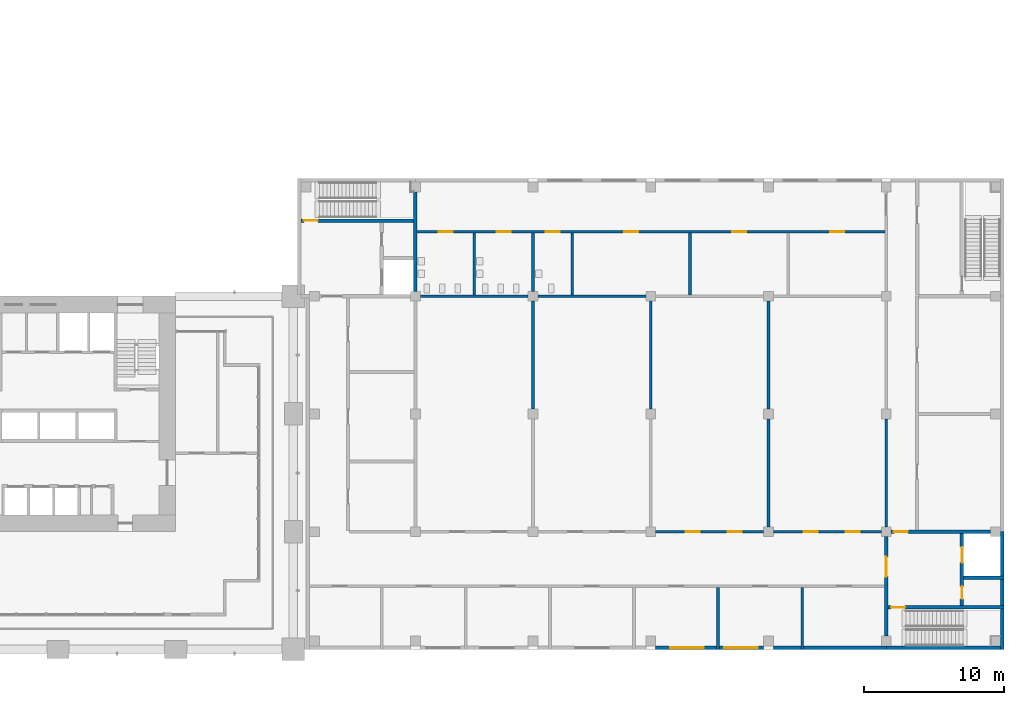
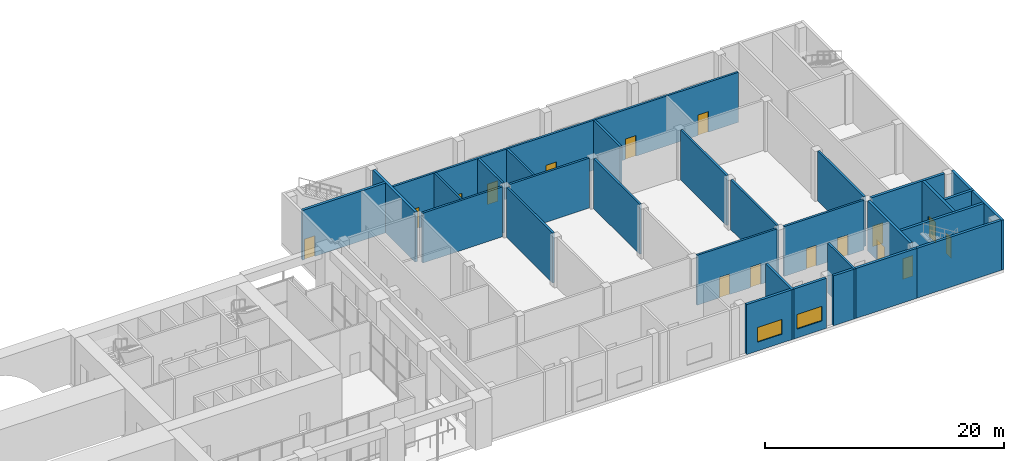
# One storey, part 15 of 26: 27 walls, 16 doors, 2 windows, 18 openings.
"""IFC4 building model written with IfcOpenShell, lengths in metres."""

from ifc_helpers import new_model, si_unit, direction, frame, frame_2d, origin, place, context, subcontext, project, spatial, rectangle, extrude, material, layer, layer_set, type_object, element, fill, save


model = new_model("IFC4")

# Units and contexts
model_context = context("Model", 3, precision=1e-05, world=origin(), true_north=direction((0.0, 1.0)))
body_context = subcontext(model_context, "Body", "Model", "MODEL_VIEW")
ifc_project = project(units=[si_unit("LENGTHUNIT", "METRE"), si_unit("AREAUNIT", "SQUARE_METRE"), si_unit("VOLUMEUNIT", "CUBIC_METRE"), si_unit("PLANEANGLEUNIT", "RADIAN"), si_unit("MASSUNIT", "GRAM", prefix="KILO")], contexts=[model_context])

# Site, building, storey
site_placement = place(None, origin())
site = spatial("IfcSite", under=ifc_project, at=site_placement, CompositionType="ELEMENT")
building_placement = place(site_placement, origin())
building = spatial("IfcBuilding", under=site, at=building_placement, Name="Vermilion Gate Residences", CompositionType="ELEMENT")
storey_placement = place(building_placement, frame((0.0, 0.0, 9.0)))
storey = spatial("IfcBuildingStorey", under=building, at=storey_placement, Name="L01", CompositionType="ELEMENT", Elevation=9.0)

# Wall, openings, windows
ifc_material_1 = material(Name="Insulated masonry", Category="masonry")
ifc_layer_1 = layer(ifc_material_1, 0.25)
ifc_layer_set_1 = layer_set([ifc_layer_1], Name="EXTERNAL WALL 250 MASONRY (MARKET HALL)")
wall_type_1 = type_object("IfcWallType", Name="EXTERNAL WALL 250 MASONRY (MARKET HALL)", PredefinedType="SOLIDWALL", material=ifc_layer_set_1)
wall_1_placement = place(storey_placement, frame((93.050048828125, 0.125, 0.0), z_axis=(0.0, 0.0, 1.0), x_axis=(1.0, 0.0, 0.0)))
wall_1 = element("IfcWall", 1, at=wall_1_placement, inside=storey, type_object=wall_type_1, Name="External wall L01-4", PredefinedType="SOLIDWALL", context=body_context, shape_type="SweptSolid", body=[
    extrude(rectangle(XDim=7.699951171875, YDim=0.25, at=frame_2d((3.85009765625, 0.0))), origin(), (0.0, 0.0, 1.0), 5.10009765625),
])
opening_1_placement = place(wall_1_placement, frame((1.02490234375, 0.0, 0.89990234375)))
opening_1 = element("IfcOpeningElement", 2, at=opening_1_placement, cuts=wall_1, Name="Opening WH01004", PredefinedType="OPENING", context=body_context, shape_type="SweptSolid", body=[
    extrude(rectangle(XDim=2.39990234375, YDim=1.5, at=frame_2d((1.199951171875, 0.75))), frame((0.0, 0.135009765625, 0.0), z_axis=(0.0, -1.0, 0.0), x_axis=(1.0, 0.0, 0.0)), (0.0, 0.0, 1.0), 0.27001953125),
])
opening_2_placement = place(wall_1_placement, frame((4.875, 0.0, 0.89990234375)))
opening_2 = element("IfcOpeningElement", 3, at=opening_2_placement, cuts=wall_1, Name="Opening WH01005", PredefinedType="OPENING", context=body_context, shape_type="SweptSolid", body=[
    extrude(rectangle(XDim=2.39990234375, YDim=1.5, at=frame_2d((1.199951171875, 0.75))), frame((0.0, 0.135009765625, 0.0), z_axis=(0.0, -1.0, 0.0), x_axis=(1.0, 0.0, 0.0)), (0.0, 0.0, 1.0), 0.27001953125),
])
ifc_material_2 = material(Name="Aluminium and glass", Category="aluminium")
window_type = type_object("IfcWindowType", Name="WINDOW 2400 X 1500 (MARKET HALL)", PartitioningType="DOUBLE_PANEL_VERTICAL", PredefinedType="WINDOW", material=ifc_material_2)
window_1_placement = place(opening_1_placement, origin())
window_1 = element("IfcWindow", 4, at=window_1_placement, inside=storey, type_object=window_type, Name="Window WH01004", OverallHeight=1.5, OverallWidth=2.39990234375, PartitioningType="DOUBLE_PANEL_VERTICAL", PredefinedType="WINDOW", context=body_context, shape_type="SweptSolid", body=[
    extrude(rectangle(XDim=2.39990234375, YDim=1.5, at=frame_2d((1.199951171875, 0.75))), frame((0.0, 0.030029296875, 0.0), z_axis=(0.0, -1.0, 0.0), x_axis=(1.0, 0.0, 0.0)), (0.0, 0.0, 1.0), 0.06005859375),
])
fill(opening_1, window_1)
window_2_placement = place(opening_2_placement, origin())
window_2 = element("IfcWindow", 5, at=window_2_placement, inside=storey, type_object=window_type, Name="Window WH01005", OverallHeight=1.5, OverallWidth=2.39990234375, PartitioningType="DOUBLE_PANEL_VERTICAL", PredefinedType="WINDOW", context=body_context, shape_type="SweptSolid", body=[
    extrude(rectangle(XDim=2.39990234375, YDim=1.5, at=frame_2d((1.199951171875, 0.75))), frame((0.0, 0.030029296875, 0.0), z_axis=(0.0, -1.0, 0.0), x_axis=(1.0, 0.0, 0.0)), (0.0, 0.0, 1.0), 0.06005859375),
])
fill(opening_2, window_2)

# Wall
wall_2_placement = place(storey_placement, frame((101.449951171875, 0.125, 0.0), z_axis=(0.0, 0.0, 1.0), x_axis=(1.0, 0.0, 0.0)))
element("IfcWall", 6, at=wall_2_placement, inside=storey, type_object=wall_type_1, Name="External wall L01-5", PredefinedType="SOLIDWALL", context=body_context, shape_type="SweptSolid", body=[
    extrude(rectangle(XDim=8.050048828125, YDim=0.25, at=frame_2d((4.02490234375, 0.0))), origin(), (0.0, 0.0, 1.0), 5.10009765625),
])

# Wall, openings, doors
ifc_material_3 = material(Name="Masonry", Category="masonry")
ifc_layer_2 = layer(ifc_material_3, 0.199951171875)
ifc_layer_set_2 = layer_set([ifc_layer_2], Name="PARTITION 200 MASONRY EI 60 (MARKET HALL)")
wall_type_2 = type_object("IfcWallType", Name="PARTITION 200 MASONRY EI 60 (MARKET HALL)", PredefinedType="PARTITIONING", material=ifc_layer_set_2)
wall_3_placement = place(storey_placement, frame((93.050048828125, 8.39990234375, 0.0), z_axis=(0.0, 0.0, 1.0), x_axis=(1.0, 0.0, 0.0)))
wall_3 = element("IfcWall", 7, at=wall_3_placement, inside=storey, type_object=wall_type_2, Name="Partition wall L01-13", PredefinedType="PARTITIONING", context=body_context, shape_type="SweptSolid", body=[
    extrude(rectangle(XDim=7.699951171875, YDim=0.199951171875, at=frame_2d((3.85009765625, 0.0))), origin(), (0.0, 0.0, 1.0), 5.10009765625),
])
opening_3_placement = place(wall_3_placement, frame((2.14990234375, 0.0, 0.0)))
opening_3 = element("IfcOpeningElement", 8, at=opening_3_placement, cuts=wall_3, Name="Opening DH01013", PredefinedType="OPENING", context=body_context, shape_type="SweptSolid", body=[
    extrude(rectangle(XDim=1.0, YDim=2.10009765625, at=frame_2d((0.5, 1.050048828125))), frame((0.0, 0.10986328125, 0.0), z_axis=(0.0, -1.0, 0.0), x_axis=(1.0, 0.0, 0.0)), (0.0, 0.0, 1.0), 0.219970703125),
])
opening_4_placement = place(wall_3_placement, frame((5.14990234375, 0.0, 0.0)))
opening_4 = element("IfcOpeningElement", 9, at=opening_4_placement, cuts=wall_3, Name="Opening DH01014", PredefinedType="OPENING", context=body_context, shape_type="SweptSolid", body=[
    extrude(rectangle(XDim=1.0, YDim=2.10009765625, at=frame_2d((0.5, 1.050048828125))), frame((0.0, 0.10986328125, 0.0), z_axis=(0.0, -1.0, 0.0), x_axis=(1.0, 0.0, 0.0)), (0.0, 0.0, 1.0), 0.219970703125),
])
ifc_material_4 = material(Name="Steel", Category="steel")
door_type_1 = type_object("IfcDoorType", Name="FIRE DOOR FD30 1000 X 2100 (MARKET HALL)", OperationType="SINGLE_SWING_LEFT", PredefinedType="DOOR", material=ifc_material_4)
door_1_placement = place(opening_3_placement, frame((1.0, 0.0, 0.0), z_axis=(0.0, 0.0, 1.0), x_axis=(-1.0, 0.0, 0.0)))
door_1 = element("IfcDoor", 10, at=door_1_placement, inside=storey, type_object=door_type_1, Name="Fire door DH01013", OperationType="SINGLE_SWING_RIGHT", OverallHeight=2.10009765625, OverallWidth=1.0, PredefinedType="DOOR", context=body_context, shape_type="SweptSolid", body=[
    extrude(rectangle(XDim=1.0, YDim=2.10009765625, at=frame_2d((0.5, 1.050048828125))), frame((0.0, 0.02490234375, 0.0), z_axis=(0.0, -1.0, 0.0), x_axis=(1.0, 0.0, 0.0)), (0.0, 0.0, 1.0), 0.050048828125),
])
fill(opening_3, door_1)
door_2_placement = place(opening_4_placement, frame((1.0, 0.0, 0.0), z_axis=(0.0, 0.0, 1.0), x_axis=(-1.0, 0.0, 0.0)))
door_2 = element("IfcDoor", 11, at=door_2_placement, inside=storey, type_object=door_type_1, Name="Fire door DH01014", OperationType="SINGLE_SWING_LEFT", OverallHeight=2.10009765625, OverallWidth=1.0, PredefinedType="DOOR", context=body_context, shape_type="SweptSolid", body=[
    extrude(rectangle(XDim=1.0, YDim=2.10009765625, at=frame_2d((0.5, 1.050048828125))), frame((0.0, 0.02490234375, 0.0), z_axis=(0.0, -1.0, 0.0), x_axis=(1.0, 0.0, 0.0)), (0.0, 0.0, 1.0), 0.050048828125),
])
fill(opening_4, door_2)

wall_4_placement = place(storey_placement, frame((101.449951171875, 8.39990234375, 0.0), z_axis=(0.0, 0.0, 1.0), x_axis=(1.0, 0.0, 0.0)))
wall_4 = element("IfcWall", 12, at=wall_4_placement, inside=storey, type_object=wall_type_2, Name="Partition wall L01-14", PredefinedType="PARTITIONING", context=body_context, shape_type="SweptSolid", body=[
    extrude(rectangle(XDim=7.699951171875, YDim=0.199951171875, at=frame_2d((3.85009765625, 0.0))), origin(), (0.0, 0.0, 1.0), 5.10009765625),
])
opening_5_placement = place(wall_4_placement, frame((2.14990234375, 0.0, 0.0)))
opening_5 = element("IfcOpeningElement", 13, at=opening_5_placement, cuts=wall_4, Name="Opening DH01015", PredefinedType="OPENING", context=body_context, shape_type="SweptSolid", body=[
    extrude(rectangle(XDim=1.0, YDim=2.10009765625, at=frame_2d((0.5, 1.050048828125))), frame((0.0, 0.10986328125, 0.0), z_axis=(0.0, -1.0, 0.0), x_axis=(1.0, 0.0, 0.0)), (0.0, 0.0, 1.0), 0.219970703125),
])
opening_6_placement = place(wall_4_placement, frame((5.14990234375, 0.0, 0.0)))
opening_6 = element("IfcOpeningElement", 14, at=opening_6_placement, cuts=wall_4, Name="Opening DH01016", PredefinedType="OPENING", context=body_context, shape_type="SweptSolid", body=[
    extrude(rectangle(XDim=1.0, YDim=2.10009765625, at=frame_2d((0.5, 1.050048828125))), frame((0.0, 0.10986328125, 0.0), z_axis=(0.0, -1.0, 0.0), x_axis=(1.0, 0.0, 0.0)), (0.0, 0.0, 1.0), 0.219970703125),
])
door_3_placement = place(opening_5_placement, frame((1.0, 0.0, 0.0), z_axis=(0.0, 0.0, 1.0), x_axis=(-1.0, 0.0, 0.0)))
door_3 = element("IfcDoor", 15, at=door_3_placement, inside=storey, type_object=door_type_1, Name="Fire door DH01015", OperationType="SINGLE_SWING_RIGHT", OverallHeight=2.10009765625, OverallWidth=1.0, PredefinedType="DOOR", context=body_context, shape_type="SweptSolid", body=[
    extrude(rectangle(XDim=1.0, YDim=2.10009765625, at=frame_2d((0.5, 1.050048828125))), frame((0.0, 0.02490234375, 0.0), z_axis=(0.0, -1.0, 0.0), x_axis=(1.0, 0.0, 0.0)), (0.0, 0.0, 1.0), 0.050048828125),
])
fill(opening_5, door_3)
door_4_placement = place(opening_6_placement, origin())
door_4 = element("IfcDoor", 16, at=door_4_placement, inside=storey, type_object=door_type_1, Name="Fire door DH01016", OperationType="SINGLE_SWING_RIGHT", OverallHeight=2.10009765625, OverallWidth=1.0, PredefinedType="DOOR", context=body_context, shape_type="SweptSolid", body=[
    extrude(rectangle(XDim=1.0, YDim=2.10009765625, at=frame_2d((0.5, 1.050048828125))), frame((0.0, 0.02490234375, 0.0), z_axis=(0.0, -1.0, 0.0), x_axis=(1.0, 0.0, 0.0)), (0.0, 0.0, 1.0), 0.050048828125),
])
fill(opening_6, door_4)

# Walls
wall_5_placement = place(storey_placement, frame((76.25, 25.199951171875, 0.0), z_axis=(0.0, 0.0, 1.0), x_axis=(1.0, 0.0, 0.0)))
element("IfcWall", 17, at=wall_5_placement, inside=storey, type_object=wall_type_2, Name="Partition wall L01-21", PredefinedType="PARTITIONING", context=body_context, shape_type="SweptSolid", body=[
    extrude(rectangle(XDim=7.699951171875, YDim=0.199951171875, at=frame_2d((3.85009765625, 0.0))), origin(), (0.0, 0.0, 1.0), 5.10009765625),
])
wall_6_placement = place(storey_placement, frame((84.64990234375, 25.199951171875, 0.0), z_axis=(0.0, 0.0, 1.0), x_axis=(1.0, 0.0, 0.0)))
element("IfcWall", 18, at=wall_6_placement, inside=storey, type_object=wall_type_2, Name="Partition wall L01-22", PredefinedType="PARTITIONING", context=body_context, shape_type="SweptSolid", body=[
    extrude(rectangle(XDim=7.7001953125, YDim=0.199951171875, at=frame_2d((3.85009765625, 0.0))), origin(), (0.0, 0.0, 1.0), 5.10009765625),
])

# Wall, openings, doors
wall_7_placement = place(storey_placement, frame((76.02490234375, 29.800048828125, 0.0), z_axis=(0.0, 0.0, 1.0), x_axis=(1.0, 0.0, 0.0)))
wall_7 = element("IfcWall", 19, at=wall_7_placement, inside=storey, type_object=wall_type_2, Name="Partition wall L01-27", PredefinedType="PARTITIONING", context=body_context, shape_type="SweptSolid", body=[
    extrude(rectangle(XDim=33.375, YDim=0.199951171875, at=frame_2d((16.6875, 0.0))), origin(), (0.0, 0.0, 1.0), 5.10009765625),
])
opening_7_placement = place(wall_7_placement, frame((1.53759765625, 0.0, 0.0)))
opening_7 = element("IfcOpeningElement", 20, at=opening_7_placement, cuts=wall_7, Name="Opening DH01017", PredefinedType="OPENING", context=body_context, shape_type="SweptSolid", body=[
    extrude(rectangle(XDim=1.0, YDim=2.10009765625, at=frame_2d((0.5, 1.050048828125))), frame((0.0, 0.10986328125, 0.0), z_axis=(0.0, -1.0, 0.0), x_axis=(1.0, 0.0, 0.0)), (0.0, 0.0, 1.0), 0.219970703125),
])
opening_8_placement = place(wall_7_placement, frame((5.675048828125, 0.0, 0.0)))
opening_8 = element("IfcOpeningElement", 21, at=opening_8_placement, cuts=wall_7, Name="Opening DH01018", PredefinedType="OPENING", context=body_context, shape_type="SweptSolid", body=[
    extrude(rectangle(XDim=1.0, YDim=2.10009765625, at=frame_2d((0.5, 1.050048828125))), frame((0.0, 0.10986328125, 0.0), z_axis=(0.0, -1.0, 0.0), x_axis=(1.0, 0.0, 0.0)), (0.0, 0.0, 1.0), 0.219970703125),
])
opening_9_placement = place(wall_7_placement, frame((9.175048828125, 0.0, 0.0)))
opening_9 = element("IfcOpeningElement", 22, at=opening_9_placement, cuts=wall_7, Name="Opening DH01019", PredefinedType="OPENING", context=body_context, shape_type="SweptSolid", body=[
    extrude(rectangle(XDim=1.0, YDim=2.10009765625, at=frame_2d((0.5, 1.050048828125))), frame((0.0, 0.10986328125, 0.0), z_axis=(0.0, -1.0, 0.0), x_axis=(1.0, 0.0, 0.0)), (0.0, 0.0, 1.0), 0.219970703125),
])
opening_10_placement = place(wall_7_placement, frame((14.77490234375, 0.0, 0.0)))
opening_10 = element("IfcOpeningElement", 23, at=opening_10_placement, cuts=wall_7, Name="Opening DH01020", PredefinedType="OPENING", context=body_context, shape_type="SweptSolid", body=[
    extrude(rectangle(XDim=1.0, YDim=2.10009765625, at=frame_2d((0.5, 1.050048828125))), frame((0.0, 0.10986328125, 0.0), z_axis=(0.0, -1.0, 0.0), x_axis=(1.0, 0.0, 0.0)), (0.0, 0.0, 1.0), 0.219970703125),
])
opening_11_placement = place(wall_7_placement, frame((22.47509765625, 0.0, 0.0)))
opening_11 = element("IfcOpeningElement", 24, at=opening_11_placement, cuts=wall_7, Name="Opening DH01021", PredefinedType="OPENING", context=body_context, shape_type="SweptSolid", body=[
    extrude(rectangle(XDim=1.0, YDim=2.10009765625, at=frame_2d((0.5, 1.050048828125))), frame((0.0, 0.10986328125, 0.0), z_axis=(0.0, -1.0, 0.0), x_axis=(1.0, 0.0, 0.0)), (0.0, 0.0, 1.0), 0.219970703125),
])
opening_12_placement = place(wall_7_placement, frame((29.47509765625, 0.0, 0.0)))
opening_12 = element("IfcOpeningElement", 25, at=opening_12_placement, cuts=wall_7, Name="Opening DH01022", PredefinedType="OPENING", context=body_context, shape_type="SweptSolid", body=[
    extrude(rectangle(XDim=1.0, YDim=2.10009765625, at=frame_2d((0.5, 1.050048828125))), frame((0.0, 0.10986328125, 0.0), z_axis=(0.0, -1.0, 0.0), x_axis=(1.0, 0.0, 0.0)), (0.0, 0.0, 1.0), 0.219970703125),
])
door_5_placement = place(opening_10_placement, frame((1.0, 0.0, 0.0), z_axis=(0.0, 0.0, 1.0), x_axis=(-1.0, 0.0, 0.0)))
door_5 = element("IfcDoor", 26, at=door_5_placement, inside=storey, type_object=door_type_1, Name="Fire door DH01020", OperationType="SINGLE_SWING_RIGHT", OverallHeight=2.10009765625, OverallWidth=1.0, PredefinedType="DOOR", context=body_context, shape_type="SweptSolid", body=[
    extrude(rectangle(XDim=1.0, YDim=2.10009765625, at=frame_2d((0.5, 1.050048828125))), frame((0.0, 0.02490234375, 0.0), z_axis=(0.0, -1.0, 0.0), x_axis=(1.0, 0.0, 0.0)), (0.0, 0.0, 1.0), 0.050048828125),
])
fill(opening_10, door_5)
door_6_placement = place(opening_11_placement, frame((1.0, 0.0, 0.0), z_axis=(0.0, 0.0, 1.0), x_axis=(-1.0, 0.0, 0.0)))
door_6 = element("IfcDoor", 27, at=door_6_placement, inside=storey, type_object=door_type_1, Name="Fire door DH01021", OperationType="SINGLE_SWING_RIGHT", OverallHeight=2.10009765625, OverallWidth=1.0, PredefinedType="DOOR", context=body_context, shape_type="SweptSolid", body=[
    extrude(rectangle(XDim=1.0, YDim=2.10009765625, at=frame_2d((0.5, 1.050048828125))), frame((0.0, 0.02490234375, 0.0), z_axis=(0.0, -1.0, 0.0), x_axis=(1.0, 0.0, 0.0)), (0.0, 0.0, 1.0), 0.050048828125),
])
fill(opening_11, door_6)
door_7_placement = place(opening_12_placement, frame((1.0, 0.0, 0.0), z_axis=(0.0, 0.0, 1.0), x_axis=(-1.0, 0.0, 0.0)))
door_7 = element("IfcDoor", 28, at=door_7_placement, inside=storey, type_object=door_type_1, Name="Fire door DH01022", OperationType="SINGLE_SWING_RIGHT", OverallHeight=2.10009765625, OverallWidth=1.0, PredefinedType="DOOR", context=body_context, shape_type="SweptSolid", body=[
    extrude(rectangle(XDim=1.0, YDim=2.10009765625, at=frame_2d((0.5, 1.050048828125))), frame((0.0, 0.02490234375, 0.0), z_axis=(0.0, -1.0, 0.0), x_axis=(1.0, 0.0, 0.0)), (0.0, 0.0, 1.0), 0.050048828125),
])
fill(opening_12, door_7)
ifc_material_5 = material(Name="Timber", Category="wood")
door_type_2 = type_object("IfcDoorType", Name="TIMBER DOOR 1000 X 2100 (MARKET HALL)", OperationType="SINGLE_SWING_LEFT", PredefinedType="DOOR", material=ifc_material_5)
door_8_placement = place(opening_7_placement, frame((1.0, 0.0, 0.0), z_axis=(0.0, 0.0, 1.0), x_axis=(-1.0, 0.0, 0.0)))
door_8 = element("IfcDoor", 29, at=door_8_placement, inside=storey, type_object=door_type_2, Name="WC door DH01017", OperationType="SINGLE_SWING_LEFT", OverallHeight=2.10009765625, OverallWidth=1.0, PredefinedType="DOOR", context=body_context, shape_type="SweptSolid", body=[
    extrude(rectangle(XDim=1.0, YDim=2.10009765625, at=frame_2d((0.5, 1.050048828125))), frame((0.0, 0.02490234375, 0.0), z_axis=(0.0, -1.0, 0.0), x_axis=(1.0, 0.0, 0.0)), (0.0, 0.0, 1.0), 0.050048828125),
])
fill(opening_7, door_8)
door_9_placement = place(opening_8_placement, frame((1.0, 0.0, 0.0), z_axis=(0.0, 0.0, 1.0), x_axis=(-1.0, 0.0, 0.0)))
door_9 = element("IfcDoor", 30, at=door_9_placement, inside=storey, type_object=door_type_2, Name="WC door DH01018", OperationType="SINGLE_SWING_LEFT", OverallHeight=2.10009765625, OverallWidth=1.0, PredefinedType="DOOR", context=body_context, shape_type="SweptSolid", body=[
    extrude(rectangle(XDim=1.0, YDim=2.10009765625, at=frame_2d((0.5, 1.050048828125))), frame((0.0, 0.02490234375, 0.0), z_axis=(0.0, -1.0, 0.0), x_axis=(1.0, 0.0, 0.0)), (0.0, 0.0, 1.0), 0.050048828125),
])
fill(opening_8, door_9)
door_10_placement = place(opening_9_placement, frame((1.0, 0.0, 0.0), z_axis=(0.0, 0.0, 1.0), x_axis=(-1.0, 0.0, 0.0)))
door_10 = element("IfcDoor", 31, at=door_10_placement, inside=storey, type_object=door_type_2, Name="WC door DH01019", OperationType="SINGLE_SWING_LEFT", OverallHeight=2.10009765625, OverallWidth=1.0, PredefinedType="DOOR", context=body_context, shape_type="SweptSolid", body=[
    extrude(rectangle(XDim=1.0, YDim=2.10009765625, at=frame_2d((0.5, 1.050048828125))), frame((0.0, 0.02490234375, 0.0), z_axis=(0.0, -1.0, 0.0), x_axis=(1.0, 0.0, 0.0)), (0.0, 0.0, 1.0), 0.050048828125),
])
fill(opening_9, door_10)

# Walls
wall_8_placement = place(storey_placement, frame((80.10009765625, 25.300048828125, 0.0), z_axis=(0.0, 0.0, 1.0), x_axis=(0.0, 1.0, 0.0)))
element("IfcWall", 32, at=wall_8_placement, inside=storey, type_object=wall_type_2, Name="Partition wall L01-45", PredefinedType="PARTITIONING", context=body_context, shape_type="SweptSolid", body=[
    extrude(rectangle(XDim=4.39990234375, YDim=0.199951171875, at=frame_2d((2.199951171875, 0.0))), origin(), (0.0, 0.0, 1.0), 5.10009765625),
])
wall_9_placement = place(storey_placement, frame((84.300048828125, 17.14990234375, 0.0), z_axis=(0.0, 0.0, 1.0), x_axis=(0.0, 1.0, 0.0)))
element("IfcWall", 33, at=wall_9_placement, inside=storey, type_object=wall_type_2, Name="Partition wall L01-47", PredefinedType="PARTITIONING", context=body_context, shape_type="SweptSolid", body=[
    extrude(rectangle(XDim=7.7001953125, YDim=0.199951171875, at=frame_2d((3.85009765625, 0.0))), origin(), (0.0, 0.0, 1.0), 5.10009765625),
])
wall_10_placement = place(storey_placement, frame((84.300048828125, 25.550048828125, 0.0), z_axis=(0.0, 0.0, 1.0), x_axis=(0.0, 1.0, 0.0)))
element("IfcWall", 34, at=wall_10_placement, inside=storey, type_object=wall_type_2, Name="Partition wall L01-48", PredefinedType="PARTITIONING", context=body_context, shape_type="SweptSolid", body=[
    extrude(rectangle(XDim=4.14990234375, YDim=0.199951171875, at=frame_2d((2.074951171875, 0.0))), origin(), (0.0, 0.0, 1.0), 5.10009765625),
])
wall_11_placement = place(storey_placement, frame((87.10009765625, 25.300048828125, 0.0), z_axis=(0.0, 0.0, 1.0), x_axis=(0.0, 1.0, 0.0)))
element("IfcWall", 35, at=wall_11_placement, inside=storey, type_object=wall_type_2, Name="Partition wall L01-50", PredefinedType="PARTITIONING", context=body_context, shape_type="SweptSolid", body=[
    extrude(rectangle(XDim=4.39990234375, YDim=0.199951171875, at=frame_2d((2.199951171875, 0.0))), origin(), (0.0, 0.0, 1.0), 5.10009765625),
])
wall_12_placement = place(storey_placement, frame((92.699951171875, 17.14990234375, 0.0), z_axis=(0.0, 0.0, 1.0), x_axis=(0.0, 1.0, 0.0)))
element("IfcWall", 36, at=wall_12_placement, inside=storey, type_object=wall_type_2, Name="Partition wall L01-53", PredefinedType="PARTITIONING", context=body_context, shape_type="SweptSolid", body=[
    extrude(rectangle(XDim=7.7001953125, YDim=0.199951171875, at=frame_2d((3.85009765625, 0.0))), origin(), (0.0, 0.0, 1.0), 5.10009765625),
])
for number, where, z_axis, x_axis, name in (
    (37, (95.5, 25.300048828125, 0.0), (0.0, 0.0, 1.0), (0.0, 1.0, 0.0), "Partition wall L01-54"),
    (38, (97.5, 0.0, 0.0), (0.0, 0.0, 1.0), (0.0, 1.0, 0.0), "Partition wall L01-55"),
):
    element("IfcWall", number, at=place(storey_placement, frame(where, z_axis=z_axis, x_axis=x_axis)), inside=storey, type_object=wall_type_2, Name=name, PredefinedType="PARTITIONING", context=body_context, shape_type="SweptSolid", body=[
        extrude(rectangle(XDim=4.39990234375, YDim=0.199951171875, at=frame_2d((2.199951171875, 0.0))), origin(), (0.0, 0.0, 1.0), 5.10009765625),
    ])
wall_13_placement = place(storey_placement, frame((101.10009765625, 8.75, 0.0), z_axis=(0.0, 0.0, 1.0), x_axis=(0.0, 1.0, 0.0)))
element("IfcWall", 39, at=wall_13_placement, inside=storey, type_object=wall_type_2, Name="Partition wall L01-56", PredefinedType="PARTITIONING", context=body_context, shape_type="SweptSolid", body=[
    extrude(rectangle(XDim=7.699951171875, YDim=0.199951171875, at=frame_2d((3.85009765625, 0.0))), origin(), (0.0, 0.0, 1.0), 5.10009765625),
])
wall_14_placement = place(storey_placement, frame((101.10009765625, 17.14990234375, 0.0), z_axis=(0.0, 0.0, 1.0), x_axis=(0.0, 1.0, 0.0)))
element("IfcWall", 40, at=wall_14_placement, inside=storey, type_object=wall_type_2, Name="Partition wall L01-57", PredefinedType="PARTITIONING", context=body_context, shape_type="SweptSolid", body=[
    extrude(rectangle(XDim=7.7001953125, YDim=0.199951171875, at=frame_2d((3.85009765625, 0.0))), origin(), (0.0, 0.0, 1.0), 5.10009765625),
])
wall_15_placement = place(storey_placement, frame((103.5, 0.0, 0.0), z_axis=(0.0, 0.0, 1.0), x_axis=(0.0, 1.0, 0.0)))
element("IfcWall", 41, at=wall_15_placement, inside=storey, type_object=wall_type_2, Name="Partition wall L01-59", PredefinedType="PARTITIONING", context=body_context, shape_type="SweptSolid", body=[
    extrude(rectangle(XDim=4.39990234375, YDim=0.199951171875, at=frame_2d((2.199951171875, 0.0))), origin(), (0.0, 0.0, 1.0), 5.10009765625),
])
wall_16_placement = place(storey_placement, frame((109.5, 8.75, 0.0), z_axis=(0.0, 0.0, 1.0), x_axis=(0.0, 1.0, 0.0)))
element("IfcWall", 42, at=wall_16_placement, inside=storey, type_object=wall_type_2, Name="Partition wall L01-61", PredefinedType="PARTITIONING", context=body_context, shape_type="SweptSolid", body=[
    extrude(rectangle(XDim=7.699951171875, YDim=0.199951171875, at=frame_2d((3.85009765625, 0.0))), origin(), (0.0, 0.0, 1.0), 5.10009765625),
])
ifc_material_6 = material(Name="Concrete C45", Category="concrete")
ifc_layer_3 = layer(ifc_material_6, 0.25)
ifc_layer_set_3 = layer_set([ifc_layer_3], Name="RC CORE WALL 250 C45 (MARKET HALL)")
wall_type_3 = type_object("IfcWallType", Name="RC CORE WALL 250 C45 (MARKET HALL)", PredefinedType="SHEAR", material=ifc_layer_set_3)
wall_17_placement = place(storey_placement, frame((109.5, 0.125, 0.0), z_axis=(0.0, 0.0, 1.0), x_axis=(1.0, 0.0, 0.0)))
element("IfcWall", 43, at=wall_17_placement, inside=storey, type_object=wall_type_3, Name="Core wall L01-6", PredefinedType="SHEAR", context=body_context, shape_type="SweptSolid", body=[
    extrude(rectangle(XDim=8.14990234375, YDim=0.25, at=frame_2d((4.074951171875, 0.0))), origin(), (0.0, 0.0, 1.0), 5.10009765625),
])

# Wall, opening, door
wall_18_placement = place(storey_placement, frame((109.625, 3.0, 0.0), z_axis=(0.0, 0.0, 1.0), x_axis=(1.0, 0.0, 0.0)))
wall_18 = element("IfcWall", 44, at=wall_18_placement, inside=storey, type_object=wall_type_3, Name="Core wall L01-7", PredefinedType="SHEAR", context=body_context, shape_type="SweptSolid", body=[
    extrude(rectangle(XDim=8.27490234375, YDim=0.25, at=frame_2d((4.137451171875, 0.0))), origin(), (0.0, 0.0, 1.0), 5.10009765625),
])
opening_13_placement = place(wall_18_placement, frame((0.22509765625, 0.0, 0.0)))
opening_13 = element("IfcOpeningElement", 45, at=opening_13_placement, cuts=wall_18, Name="Opening DH01036", PredefinedType="OPENING", context=body_context, shape_type="SweptSolid", body=[
    extrude(rectangle(XDim=1.0, YDim=2.10009765625, at=frame_2d((0.5, 1.050048828125))), frame((0.0, 0.135009765625, 0.0), z_axis=(0.0, -1.0, 0.0), x_axis=(1.0, 0.0, 0.0)), (0.0, 0.0, 1.0), 0.27001953125),
])
ifc_material_7 = material(Name="Steel", Category="steel")
door_type_3 = type_object("IfcDoorType", Name="STAIR DOOR FD60 1000 X 2100 (MARKET HALL)", OperationType="SINGLE_SWING_LEFT", PredefinedType="DOOR", material=ifc_material_7)
door_11_placement = place(opening_13_placement, frame((1.0, 0.0, 0.0), z_axis=(0.0, 0.0, 1.0), x_axis=(-1.0, 0.0, 0.0)))
door_11 = element("IfcDoor", 46, at=door_11_placement, inside=storey, type_object=door_type_3, Name="Stair door DH01036", OperationType="SINGLE_SWING_LEFT", OverallHeight=2.10009765625, OverallWidth=1.0, PredefinedType="DOOR", context=body_context, shape_type="SweptSolid", body=[
    extrude(rectangle(XDim=1.0, YDim=2.10009765625, at=frame_2d((0.5, 1.050048828125))), frame((0.0, 0.02490234375, 0.0), z_axis=(0.0, -1.0, 0.0), x_axis=(1.0, 0.0, 0.0)), (0.0, 0.0, 1.0), 0.050048828125),
])
fill(opening_13, door_11)

# Wall
wall_19_placement = place(storey_placement, frame((115.02490234375, 5.10009765625, 0.0), z_axis=(0.0, 0.0, 1.0), x_axis=(1.0, 0.0, 0.0)))
element("IfcWall", 47, at=wall_19_placement, inside=storey, type_object=wall_type_3, Name="Core wall L01-9", PredefinedType="SHEAR", context=body_context, shape_type="SweptSolid", body=[
    extrude(rectangle(XDim=2.875, YDim=0.25, at=frame_2d((1.4375, 0.0))), origin(), (0.0, 0.0, 1.0), 5.10009765625),
])

# Wall, opening, door
wall_20_placement = place(storey_placement, frame((109.85009765625, 8.39990234375, 0.0), z_axis=(0.0, 0.0, 1.0), x_axis=(1.0, 0.0, 0.0)))
wall_20 = element("IfcWall", 48, at=wall_20_placement, inside=storey, type_object=wall_type_3, Name="Core wall L01-15", PredefinedType="SHEAR", context=body_context, shape_type="SweptSolid", body=[
    extrude(rectangle(XDim=7.099853515625, YDim=0.25, at=frame_2d((3.5498046875, 0.0))), origin(), (0.0, 0.0, 1.0), 5.10009765625),
])
opening_14_placement = place(wall_20_placement, frame((0.199951171875, 0.0, 0.0)))
opening_14 = element("IfcOpeningElement", 49, at=opening_14_placement, cuts=wall_20, Name="Opening DH01032", PredefinedType="OPENING", context=body_context, shape_type="SweptSolid", body=[
    extrude(rectangle(XDim=1.0, YDim=2.10009765625, at=frame_2d((0.5, 1.050048828125))), frame((0.0, 0.135009765625, 0.0), z_axis=(0.0, -1.0, 0.0), x_axis=(1.0, 0.0, 0.0)), (0.0, 0.0, 1.0), 0.27001953125),
])
ifc_material_8 = material(Name="Steel", Category="steel")
door_type_4 = type_object("IfcDoorType", Name="FIRE DOOR FD60 1000 X 2100 (MARKET HALL)", OperationType="SINGLE_SWING_LEFT", PredefinedType="DOOR", material=ifc_material_8)
door_12_placement = place(opening_14_placement, frame((1.0, 0.0, 0.0), z_axis=(0.0, 0.0, 1.0), x_axis=(-1.0, 0.0, 0.0)))
door_12 = element("IfcDoor", 50, at=door_12_placement, inside=storey, type_object=door_type_4, Name="Lobby fire door DH01032", OperationType="SINGLE_SWING_RIGHT", OverallHeight=2.10009765625, OverallWidth=1.0, PredefinedType="DOOR", context=body_context, shape_type="SweptSolid", body=[
    extrude(rectangle(XDim=1.0, YDim=2.10009765625, at=frame_2d((0.5, 1.050048828125))), frame((0.0, 0.02490234375, 0.0), z_axis=(0.0, -1.0, 0.0), x_axis=(1.0, 0.0, 0.0)), (0.0, 0.0, 1.0), 0.050048828125),
])
fill(opening_14, door_12)

wall_21_placement = place(storey_placement, frame((67.75, 30.60009765625, 0.0), z_axis=(0.0, 0.0, 1.0), x_axis=(1.0, 0.0, 0.0)))
wall_21 = element("IfcWall", 51, at=wall_21_placement, inside=storey, type_object=wall_type_3, Name="Core wall L01-28", PredefinedType="SHEAR", context=body_context, shape_type="SweptSolid", body=[
    extrude(rectangle(XDim=8.02490234375, YDim=0.25, at=frame_2d((4.012451171875, 0.0))), origin(), (0.0, 0.0, 1.0), 5.10009765625),
])
opening_15_placement = place(wall_21_placement, frame((0.199951171875, 0.0, 0.0)))
opening_15 = element("IfcOpeningElement", 52, at=opening_15_placement, cuts=wall_21, Name="Opening DH01033", PredefinedType="OPENING", context=body_context, shape_type="SweptSolid", body=[
    extrude(rectangle(XDim=1.0, YDim=2.10009765625, at=frame_2d((0.5, 1.050048828125))), frame((0.0, 0.135009765625, 0.0), z_axis=(0.0, -1.0, 0.0), x_axis=(1.0, 0.0, 0.0)), (0.0, 0.0, 1.0), 0.27001953125),
])
door_13_placement = place(opening_15_placement, origin())
door_13 = element("IfcDoor", 53, at=door_13_placement, inside=storey, type_object=door_type_3, Name="Stair door DH01033", OperationType="SINGLE_SWING_RIGHT", OverallHeight=2.10009765625, OverallWidth=1.0, PredefinedType="DOOR", context=body_context, shape_type="SweptSolid", body=[
    extrude(rectangle(XDim=1.0, YDim=2.10009765625, at=frame_2d((0.5, 1.050048828125))), frame((0.0, 0.02490234375, 0.0), z_axis=(0.0, -1.0, 0.0), x_axis=(1.0, 0.0, 0.0)), (0.0, 0.0, 1.0), 0.050048828125),
])
fill(opening_15, door_13)

# Wall
wall_22_placement = place(storey_placement, frame((75.89990234375, 25.550048828125, 0.0), z_axis=(0.0, 0.0, 1.0), x_axis=(0.0, 1.0, 0.0)))
element("IfcWall", 54, at=wall_22_placement, inside=storey, type_object=wall_type_3, Name="Core wall L01-43", PredefinedType="SHEAR", context=body_context, shape_type="SweptSolid", body=[
    extrude(rectangle(XDim=7.099853515625, YDim=0.25, at=frame_2d((3.5498046875, 0.0))), origin(), (0.0, 0.0, 1.0), 5.10009765625),
])

# Wall, opening, door
wall_23_placement = place(storey_placement, frame((109.5, 0.949951171875, 0.0), z_axis=(0.0, 0.0, 1.0), x_axis=(0.0, 1.0, 0.0)))
wall_23 = element("IfcWall", 55, at=wall_23_placement, inside=storey, type_object=wall_type_3, Name="Core wall L01-60", PredefinedType="SHEAR", context=body_context, shape_type="SweptSolid", body=[
    extrude(rectangle(XDim=7.10009765625, YDim=0.25, at=frame_2d((3.550048828125, 0.0))), origin(), (0.0, 0.0, 1.0), 5.10009765625),
])
opening_16_placement = place(wall_23_placement, frame((4.25, 0.0, 0.0)))
opening_16 = element("IfcOpeningElement", 56, at=opening_16_placement, cuts=wall_23, Name="Opening DH01031", PredefinedType="OPENING", context=body_context, shape_type="SweptSolid", body=[
    extrude(rectangle(XDim=1.39990234375, YDim=2.10009765625, at=frame_2d((0.699951171875, 1.050048828125))), frame((0.0, 0.135009765625, 0.0), z_axis=(0.0, -1.0, 0.0), x_axis=(1.0, 0.0, 0.0)), (0.0, 0.0, 1.0), 0.27001953125),
])
ifc_material_9 = material(Name="Steel", Category="steel")
door_type_5 = type_object("IfcDoorType", Name="FIRE DOOR FD60 1400 X 2100 DOUBLE (MARKET HALL)", OperationType="DOUBLE_DOOR_SINGLE_SWING", PredefinedType="DOOR", material=ifc_material_9)
door_14_placement = place(opening_16_placement, frame((1.39990234375, 0.0, 0.0), z_axis=(0.0, 0.0, 1.0), x_axis=(-1.0, 0.0, 0.0)))
door_14 = element("IfcDoor", 57, at=door_14_placement, inside=storey, type_object=door_type_5, Name="Lobby fire door DH01031", OperationType="DOUBLE_DOOR_SINGLE_SWING", OverallHeight=2.10009765625, OverallWidth=1.39990234375, PredefinedType="DOOR", context=body_context, shape_type="SweptSolid", body=[
    extrude(rectangle(XDim=1.39990234375, YDim=2.10009765625, at=frame_2d((0.699951171875, 1.050048828125))), frame((0.0, 0.02490234375, 0.0), z_axis=(0.0, -1.0, 0.0), x_axis=(1.0, 0.0, 0.0)), (0.0, 0.0, 1.0), 0.050048828125),
])
fill(opening_16, door_14)

# Wall, openings, doors
wall_24_placement = place(storey_placement, frame((114.89990234375, 3.125, 0.0), z_axis=(0.0, 0.0, 1.0), x_axis=(0.0, 1.0, 0.0)))
wall_24 = element("IfcWall", 58, at=wall_24_placement, inside=storey, type_object=wall_type_3, Name="Core wall L01-66", PredefinedType="SHEAR", context=body_context, shape_type="SweptSolid", body=[
    extrude(rectangle(XDim=5.14990234375, YDim=0.25, at=frame_2d((2.574951171875, 0.0))), origin(), (0.0, 0.0, 1.0), 5.10009765625),
])
opening_17_placement = place(wall_24_placement, frame((3.074951171875, 0.0, 0.0)))
opening_17 = element("IfcOpeningElement", 59, at=opening_17_placement, cuts=wall_24, Name="Opening LD", PredefinedType="OPENING", context=body_context, shape_type="SweptSolid", body=[
    extrude(rectangle(XDim=1.10009765625, YDim=2.10009765625, at=frame_2d((0.550048828125, 1.050048828125))), frame((0.0, 0.135009765625, 0.0), z_axis=(0.0, -1.0, 0.0), x_axis=(1.0, 0.0, 0.0)), (0.0, 0.0, 1.0), 0.27001953125),
])
opening_18_placement = place(wall_24_placement, frame((0.47509765625, 0.0, 0.0)))
opening_18 = element("IfcOpeningElement", 60, at=opening_18_placement, cuts=wall_24, Name="Opening DH01038", PredefinedType="OPENING", context=body_context, shape_type="SweptSolid", body=[
    extrude(rectangle(XDim=0.89990234375, YDim=2.10009765625, at=frame_2d((0.449951171875, 1.050048828125))), frame((0.0, 0.135009765625, 0.0), z_axis=(0.0, -1.0, 0.0), x_axis=(1.0, 0.0, 0.0)), (0.0, 0.0, 1.0), 0.27001953125),
])
ifc_material_10 = material(Name="Steel", Category="steel")
door_type_6 = type_object("IfcDoorType", Name="FIRE DOOR FD60 900 X 2100 (MARKET HALL)", OperationType="SINGLE_SWING_LEFT", PredefinedType="DOOR", material=ifc_material_10)
door_15_placement = place(opening_18_placement, frame((0.89990234375, 0.0, 0.0), z_axis=(0.0, 0.0, 1.0), x_axis=(-1.0, 0.0, 0.0)))
door_15 = element("IfcDoor", 61, at=door_15_placement, inside=storey, type_object=door_type_6, Name="Lobby fire door DH01038", OperationType="SINGLE_SWING_LEFT", OverallHeight=2.10009765625, OverallWidth=0.89990234375, PredefinedType="DOOR", context=body_context, shape_type="SweptSolid", body=[
    extrude(rectangle(XDim=0.89990234375, YDim=2.10009765625, at=frame_2d((0.449951171875, 1.050048828125))), frame((0.0, 0.02490234375, 0.0), z_axis=(0.0, -1.0, 0.0), x_axis=(1.0, 0.0, 0.0)), (0.0, 0.0, 1.0), 0.050048828125),
])
fill(opening_18, door_15)
ifc_material_11 = material(Name="Stainless steel", Category="steel")
door_type_7 = type_object("IfcDoorType", Name="LIFT LANDING DOOR 1100 X 2100 (MARKET HALL)", OperationType="SLIDING_TO_LEFT", PredefinedType="DOOR", material=ifc_material_11)
door_16_placement = place(opening_17_placement, origin())
door_16 = element("IfcDoor", 62, at=door_16_placement, inside=storey, type_object=door_type_7, Name="Lift landing door L01-37", OperationType="SLIDING_TO_LEFT", OverallHeight=2.10009765625, OverallWidth=1.10009765625, PredefinedType="DOOR", context=body_context, shape_type="SweptSolid", body=[
    extrude(rectangle(XDim=1.10009765625, YDim=2.10009765625, at=frame_2d((0.550048828125, 1.050048828125))), frame((0.0, 0.02490234375, 0.0), z_axis=(0.0, -1.0, 0.0), x_axis=(1.0, 0.0, 0.0)), (0.0, 0.0, 1.0), 0.050048828125),
])
fill(opening_17, door_16)

# Wall
wall_25_placement = place(storey_placement, frame((117.77490234375, 0.0, 0.0), z_axis=(0.0, 0.0, 1.0), x_axis=(0.0, 1.0, 0.0)))
element("IfcWall", 63, at=wall_25_placement, inside=storey, type_object=wall_type_3, Name="Core wall L01-68", PredefinedType="SHEAR", context=body_context, shape_type="SweptSolid", body=[
    extrude(rectangle(XDim=8.39990234375, YDim=0.25, at=frame_2d((4.199951171875, 0.0))), origin(), (0.0, 0.0, 1.0), 5.10009765625),
])

save(model, "model.ifc")
